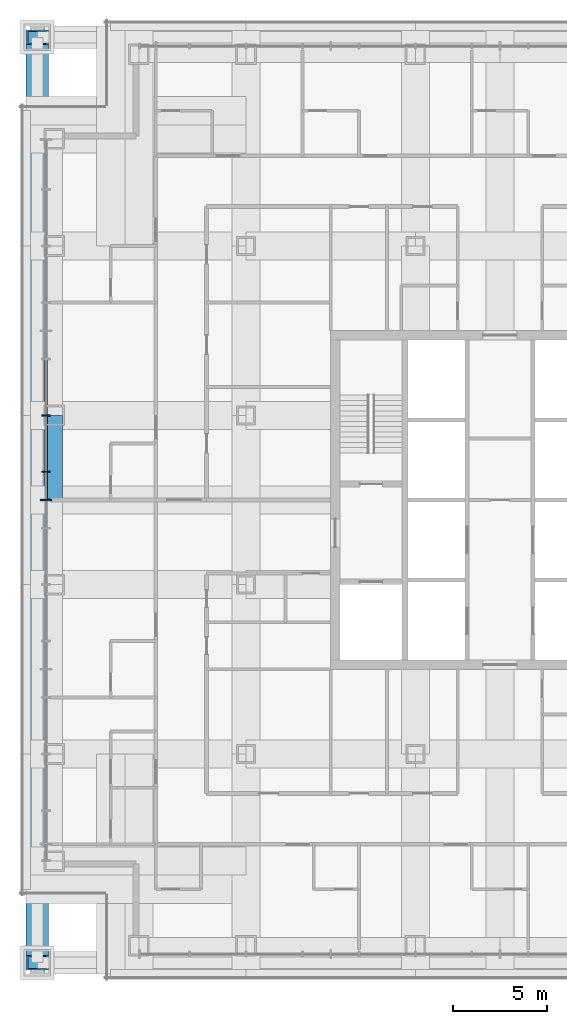
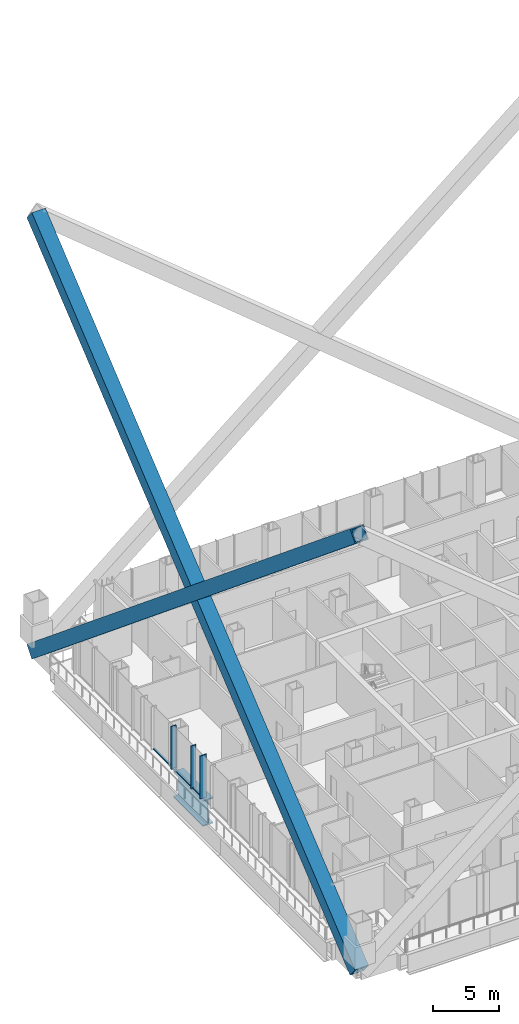
# One storey, part 5 of 20: 8 members, 1 beam, 1 element without a shape of its own.
"""IFC4 building model written with IfcOpenShell, lengths in metres."""

from ifc_helpers import new_model, si_unit, direction, frame, origin, origin_2d, place, context, subcontext, project, spatial, rectangle, hollow_rectangle, i_section, extrude, material, layer, layer_set, material_profile, profile_set, type_object, element, aggregate, save


model = new_model("IFC4")

# Units and contexts
model_context = context("Model", 3, precision=1e-05, world=origin(), true_north=direction((0.0, 1.0)))
body_context = subcontext(model_context, "Body", "Model", "MODEL_VIEW")
ifc_project = project(units=[si_unit("LENGTHUNIT", "METRE"), si_unit("AREAUNIT", "SQUARE_METRE"), si_unit("VOLUMEUNIT", "CUBIC_METRE"), si_unit("PLANEANGLEUNIT", "RADIAN"), si_unit("MASSUNIT", "GRAM", prefix="KILO")], contexts=[model_context])

# Site, building, storey
site_placement = place(None, origin())
site = spatial("IfcSite", under=ifc_project, at=site_placement, CompositionType="ELEMENT")
building_placement = place(site_placement, origin())
building = spatial("IfcBuilding", under=site, at=building_placement, Name="Malebo Sky Hospital", CompositionType="ELEMENT")
storey_placement = place(building_placement, frame((0.0, 0.0, 100.0)))
storey = spatial("IfcBuildingStorey", under=building, at=storey_placement, Name="L23", CompositionType="ELEMENT", Elevation=100.0)

# Curtain wall, members
ifc_material_1 = material(Name="Anodised aluminium, natural silver", Category="aluminium")
ifc_layer = layer(ifc_material_1, 0.25)
ifc_layer_set = layer_set([ifc_layer], Name="WARD CURTAIN WALL EAST AND WEST")
curtain_wall_type = type_object("IfcCurtainWallType", Name="WARD CURTAIN WALL EAST AND WEST", PredefinedType="NOTDEFINED", material=ifc_layer_set)
curtain_wall_placement = place(storey_placement, origin())
curtain_wall = element("IfcCurtainWall", 1, at=curtain_wall_placement, inside=storey, type_object=curtain_wall_type, Name="EW curtain wall W", PredefinedType="NOTDEFINED")
ifc_material_profile_1 = material_profile(ifc_material_1, rectangle(XDim=0.14990234375, YDim=0.10009765625, at=origin_2d()), Name="ALUMINIUM TRANSOM 150x100")
ifc_profile_set_1 = profile_set([ifc_material_profile_1], Name="Anodised aluminium, natural silver")
member_type_1 = type_object("IfcMemberType", Name="ALUMINIUM TRANSOM 150x100", PredefinedType="USERDEFINED", material=ifc_profile_set_1)
member_1_placement = place(storey_placement, frame((35.864990234375, 62.03759765625, 0.050048828125), z_axis=(0.0, 1.0, 0.0), x_axis=(-1.0, 0.0, 0.0)))
member_1 = element("IfcMember", 2, at=member_1_placement, type_object=member_type_1, Name="Transom 10", ObjectType="TRANSOM", PredefinedType="USERDEFINED", context=body_context, shape_type="SweptSolid", body=[
    extrude(rectangle(XDim=0.14990234375, YDim=0.10009765625, at=origin_2d()), origin(), (0.0, 0.0, 1.0), 1.4248046875),
])
member_2_placement = place(storey_placement, frame((35.864990234375, 63.53759765625, 0.050048828125), z_axis=(0.0, 1.0, 0.0), x_axis=(-1.0, 0.0, 0.0)))
member_2 = element("IfcMember", 3, at=member_2_placement, type_object=member_type_1, Name="Transom 11", ObjectType="TRANSOM", PredefinedType="USERDEFINED", context=body_context, shape_type="SweptSolid", body=[
    extrude(rectangle(XDim=0.14990234375, YDim=0.10009765625, at=origin_2d()), origin(), (0.0, 0.0, 1.0), 2.9248046875),
])
member_3_placement = place(storey_placement, frame((35.864990234375, 66.53759765625, 0.050048828125), z_axis=(0.0, 1.0, 0.0), x_axis=(-1.0, 0.0, 0.0)))
member_3 = element("IfcMember", 4, at=member_3_placement, type_object=member_type_1, Name="Transom 12", ObjectType="TRANSOM", PredefinedType="USERDEFINED", context=body_context, shape_type="SweptSolid", body=[
    extrude(rectangle(XDim=0.14990234375, YDim=0.10009765625, at=origin_2d()), origin(), (0.0, 0.0, 1.0), 2.9248046875),
])
ifc_material_profile_2 = material_profile(ifc_material_1, rectangle(XDim=0.074951171875, YDim=0.449951171875, at=origin_2d()), Name="CW2 ALUMINIUM FIN MULLION 75x450")
ifc_profile_set_2 = profile_set([ifc_material_profile_2], Name="Anodised aluminium, natural silver")
member_type_2 = type_object("IfcMemberType", Name="CW2 ALUMINIUM FIN MULLION 75x450", PredefinedType="MULLION", material=ifc_profile_set_2)
member_4_placement = place(storey_placement, frame((35.864990234375, 63.5, 0.0), z_axis=(0.0, 0.0, 1.0), x_axis=(0.0, 1.0, 0.0)))
member_4 = element("IfcMember", 5, at=member_4_placement, type_object=member_type_2, Name="Fin mullion 11", PredefinedType="MULLION", context=body_context, shape_type="SweptSolid", body=[
    extrude(rectangle(XDim=0.074951171875, YDim=0.449951171875, at=origin_2d()), origin(), (0.0, 0.0, 1.0), 4.0),
])
member_5_placement = place(storey_placement, frame((35.864990234375, 66.5, 0.0), z_axis=(0.0, 0.0, 1.0), x_axis=(0.0, 1.0, 0.0)))
member_5 = element("IfcMember", 6, at=member_5_placement, type_object=member_type_2, Name="Fin mullion 12", PredefinedType="MULLION", context=body_context, shape_type="SweptSolid", body=[
    extrude(rectangle(XDim=0.074951171875, YDim=0.449951171875, at=origin_2d()), origin(), (0.0, 0.0, 1.0), 4.0),
])
ifc_material_profile_3 = material_profile(ifc_material_1, rectangle(XDim=0.074951171875, YDim=0.60009765625, at=origin_2d()), Name="CW2 ALUMINIUM FIN MULLION 75x600")
ifc_profile_set_3 = profile_set([ifc_material_profile_3], Name="Anodised aluminium, natural silver")
member_type_3 = type_object("IfcMemberType", Name="CW2 ALUMINIUM FIN MULLION 75x600", PredefinedType="MULLION", material=ifc_profile_set_3)
member_6_placement = place(storey_placement, frame((35.864990234375, 62.0, 0.0), z_axis=(0.0, 0.0, 1.0), x_axis=(0.0, 1.0, 0.0)))
member_6 = element("IfcMember", 7, at=member_6_placement, type_object=member_type_3, Name="Fin mullion 10", PredefinedType="MULLION", context=body_context, shape_type="SweptSolid", body=[
    extrude(rectangle(XDim=0.074951171875, YDim=0.60009765625, at=origin_2d()), origin(), (0.0, 0.0, 1.0), 4.0),
])
aggregate(curtain_wall, [member_6, member_4, member_5, member_1, member_2, member_3])

# Members
ifc_material_2 = material(Name="Steel S460", Category="steel")
ifc_material_profile_4 = material_profile(ifc_material_2, hollow_rectangle(XDim=1.199951171875, YDim=1.199951171875, WallThickness=0.10009765625, at=origin_2d()), Name="BOX 1200x1200x100")
ifc_profile_set_4 = profile_set([ifc_material_profile_4], Name="Steel S460")
member_type_4 = type_object("IfcMemberType", Name="MEGA BRACE BOX 1200x1200x100", PredefinedType="BRACE", material=ifc_profile_set_4)
for number, where, z_axis, x_axis, name in (
    (8, (35.39990234375, 86.60009765625, -0.949951171875), (0.0, -0.771682026821, 0.63600852941), (1.0, 0.0, 0.0), "Mega brace B1W1 L23-L33"),
    (9, (35.39990234375, 37.39990234375, -0.949951171875), (0.0, 0.771682026821, 0.63600852941), (-1.0, 0.0, 0.0), "Mega brace B1W2 L23-L33"),
):
    element("IfcMember", number, at=place(storey_placement, frame(where, z_axis=z_axis, x_axis=x_axis)), inside=storey, type_object=member_type_4, Name=name, PredefinedType="BRACE", context=body_context, shape_type="SweptSolid", body=[
        extrude(hollow_rectangle(XDim=1.199951171875, YDim=1.199951171875, WallThickness=0.10009765625, at=origin_2d()), origin(), (0.0, 0.0, 1.0), 63.757080078125),
    ])

# Beam
ifc_material_3 = material(Name="Steel S355", Category="steel")
ifc_material_profile_5 = material_profile(ifc_material_3, i_section(OverallWidth=0.89990234375, OverallDepth=2.39990234375, WebThickness=0.050048828125, FlangeThickness=0.10009765625, at=origin_2d()), Name="PG 2400x900x50x100")
ifc_profile_set_5 = profile_set([ifc_material_profile_5], Name="Steel S355")
beam_type = type_object("IfcBeamType", Name="TRANSFER GIRDER PG 2400x900x50x100", PredefinedType="BEAM", material=ifc_profile_set_5)
beam_placement = place(storey_placement, frame((36.300048828125, 62.0, -1.449951171875), z_axis=(0.0, 1.0, 0.0), x_axis=(-1.0, 0.0, 0.0)))
element("IfcBeam", 10, at=beam_placement, inside=storey, type_object=beam_type, Name="Beam 005d L23", PredefinedType="BEAM", context=body_context, shape_type="SweptSolid", body=[
    extrude(i_section(OverallWidth=0.89990234375, OverallDepth=2.39990234375, WebThickness=0.050048828125, FlangeThickness=0.10009765625, at=origin_2d()), origin(), (0.0, 0.0, 1.0), 4.5),
])

save(model, "model.ifc")
